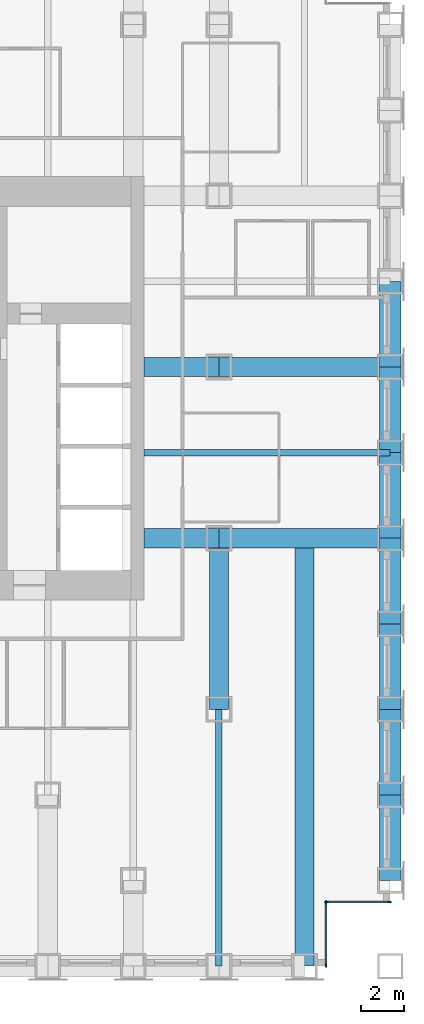
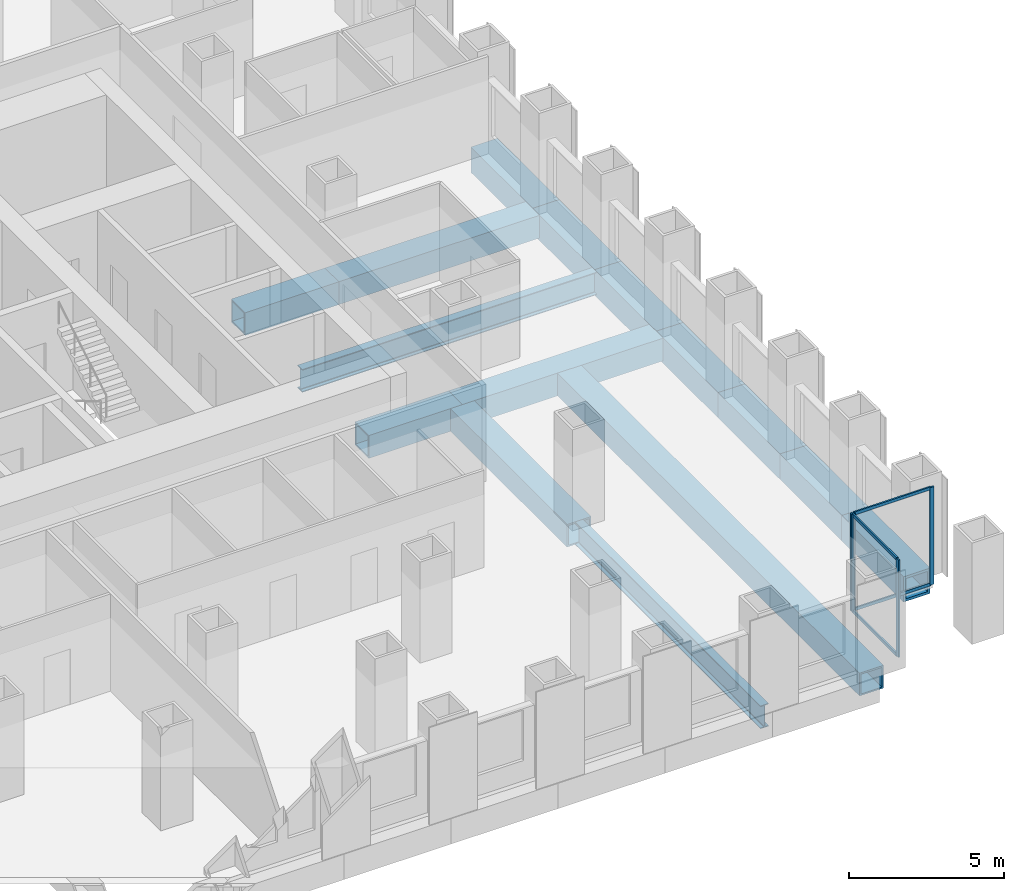
# One storey, part 4 of 14: 15 beams, 8 members, 2 elements without a shape of their own.
"""IFC4 building model written with IfcOpenShell, lengths in metres."""

from ifc_helpers import new_model, si_unit, direction, frame, origin, origin_2d, place, context, subcontext, project, spatial, rectangle, hollow_rectangle, i_section, extrude, material, material_profile, profile_set, type_object, element, aggregate, save


model = new_model("IFC4")

# Units and contexts
model_context = context("Model", 3, precision=1e-05, world=origin(), true_north=direction((0.0, 1.0)))
body_context = subcontext(model_context, "Body", "Model", "MODEL_VIEW")
ifc_project = project(units=[si_unit("LENGTHUNIT", "METRE"), si_unit("AREAUNIT", "SQUARE_METRE"), si_unit("VOLUMEUNIT", "CUBIC_METRE"), si_unit("PLANEANGLEUNIT", "RADIAN"), si_unit("MASSUNIT", "GRAM", prefix="KILO")], contexts=[model_context])

# Site, building, storey
site_placement = place(None, origin())
site = spatial("IfcSite", under=ifc_project, at=site_placement, CompositionType="ELEMENT")
building_placement = place(site_placement, origin())
building = spatial("IfcBuilding", under=site, at=building_placement, Name="Rimbunsela Tower", CompositionType="ELEMENT")
storey_placement = place(building_placement, frame((0.0, 0.0, 51.0)))
storey = spatial("IfcBuildingStorey", under=building, at=storey_placement, Name="L12", CompositionType="ELEMENT", Elevation=51.0)

# Beams
ifc_material_1 = material(Name="Steel BJ 55 (fy 410 MPa)", Category="steel")
ifc_material_profile_1 = material_profile(ifc_material_1, hollow_rectangle(XDim=1.0, YDim=1.0, WallThickness=0.10009765625, at=origin_2d()), Name="BOX 1000x1000x100")
ifc_profile_set_1 = profile_set([ifc_material_profile_1], Name="Steel BJ 55 (fy 410 MPa)")
beam_type_1 = type_object("IfcBeamType", Name="Beam BOX 1000x1000x100", PredefinedType="BEAM", material=ifc_profile_set_1)
for number, where, z_axis, x_axis, name in (
    (1, (54.0, 4.0, -0.64990234375), (0.0, 1.0, 0.0), (-1.0, 0.0, 0.0), "Beam B3 L12"),
    (2, (54.0, 8.0, -0.64990234375), (0.0, 1.0, 0.0), (-1.0, 0.0, 0.0), "Beam B3 L12"),
    (3, (54.0, 12.0, -0.64990234375), (0.0, 1.0, 0.0), (-1.0, 0.0, 0.0), "Beam B3 L12"),
    (4, (54.0, 16.0, -0.64990234375), (0.0, 1.0, 0.0), (-1.0, 0.0, 0.0), "Beam B3 L12"),
    (5, (54.0, 20.0, -0.64990234375), (0.0, 1.0, 0.0), (-1.0, 0.0, 0.0), "Beam B3 L12"),
    (6, (54.0, 24.0, -0.64990234375), (0.0, 1.0, 0.0), (-1.0, 0.0, 0.0), "Beam B3 L12"),
    (7, (54.0, 28.0, -0.64990234375), (0.0, 1.0, 0.0), (-1.0, 0.0, 0.0), "Beam B3 L12"),
):
    element("IfcBeam", number, at=place(storey_placement, frame(where, z_axis=z_axis, x_axis=x_axis)), inside=storey, type_object=beam_type_1, Name=name, PredefinedType="BEAM", context=body_context, shape_type="SweptSolid", body=[
        extrude(hollow_rectangle(XDim=1.0, YDim=1.0, WallThickness=0.10009765625, at=origin_2d()), origin(), (0.0, 0.0, 1.0), 4.0),
    ])
ifc_material_2 = material(Name="Steel BJ 55 (fy 410 MPa)", Category="steel")
ifc_material_profile_2 = material_profile(ifc_material_2, hollow_rectangle(XDim=0.89990234375, YDim=0.89990234375, WallThickness=0.06005859375, at=origin_2d()), Name="BOX 900x900x60")
ifc_profile_set_2 = profile_set([ifc_material_profile_2], Name="Steel BJ 55 (fy 410 MPa)")
beam_type_2 = type_object("IfcBeamType", Name="Beam BOX 900x900x60", PredefinedType="BEAM", material=ifc_profile_set_2)
for number, where, z_axis, x_axis, name in (
    (8, (42.5, 20.0, -0.60009765625), (1.0, 0.0, 0.0), (0.0, 1.0, 0.0), "Beam B1 L12"),
    (9, (42.5, 28.0, -0.60009765625), (1.0, 0.0, 0.0), (0.0, 1.0, 0.0), "Beam B1 L12"),
):
    element("IfcBeam", number, at=place(storey_placement, frame(where, z_axis=z_axis, x_axis=x_axis)), inside=storey, type_object=beam_type_2, Name=name, PredefinedType="BEAM", context=body_context, shape_type="SweptSolid", body=[
        extrude(hollow_rectangle(XDim=0.89990234375, YDim=0.89990234375, WallThickness=0.06005859375, at=origin_2d()), origin(), (0.0, 0.0, 1.0), 3.5),
    ])
for number, where, z_axis, x_axis, name in (
    (10, (46.0, 12.0, -0.60009765625), (0.0, 1.0, 0.0), (-1.0, 0.0, 0.0), "Beam B1 L12"),
    (11, (46.0, 20.0, -0.60009765625), (1.0, 0.0, 0.0), (0.0, 1.0, 0.0), "Beam B1 L12"),
    (12, (46.0, 28.0, -0.60009765625), (1.0, 0.0, 0.0), (0.0, 1.0, 0.0), "Beam B1 L12"),
):
    element("IfcBeam", number, at=place(storey_placement, frame(where, z_axis=z_axis, x_axis=x_axis)), inside=storey, type_object=beam_type_2, Name=name, PredefinedType="BEAM", context=body_context, shape_type="SweptSolid", body=[
        extrude(hollow_rectangle(XDim=0.89990234375, YDim=0.89990234375, WallThickness=0.06005859375, at=origin_2d()), origin(), (0.0, 0.0, 1.0), 8.0),
    ])
beam_1_placement = place(storey_placement, frame((50.0, 0.0, -0.60009765625), z_axis=(0.0, 1.0, 0.0), x_axis=(-1.0, 0.0, 0.0)))
element("IfcBeam", 13, at=beam_1_placement, inside=storey, type_object=beam_type_2, Name="Beam B1 L12", PredefinedType="BEAM", context=body_context, shape_type="SweptSolid", body=[
    extrude(hollow_rectangle(XDim=0.89990234375, YDim=0.89990234375, WallThickness=0.06005859375, at=origin_2d()), origin(), (0.0, 0.0, 1.0), 19.550048828125),
])
ifc_material_3 = material(Name="Steel BJ 55 (fy 410 MPa)", Category="steel")
ifc_material_profile_3 = material_profile(ifc_material_3, i_section(OverallWidth=0.300048828125, OverallDepth=0.89990234375, WebThickness=0.01611328125, FlangeThickness=0.028076171875, FilletRadius=0.028076171875, at=origin_2d()), Name="H 900x300x16x28")
ifc_profile_set_3 = profile_set([ifc_material_profile_3], Name="Steel BJ 55 (fy 410 MPa)")
beam_type_3 = type_object("IfcBeamType", Name="Beam H 900x300x16x28", PredefinedType="BEAM", material=ifc_profile_set_3)
beam_2_placement = place(storey_placement, frame((42.5, 24.0, -0.60009765625), z_axis=(1.0, 0.0, 0.0), x_axis=(0.0, 1.0, 0.0)))
element("IfcBeam", 14, at=beam_2_placement, inside=storey, type_object=beam_type_3, Name="Beam B2 L12", PredefinedType="BEAM", context=body_context, shape_type="SweptSolid", body=[
    extrude(i_section(OverallWidth=0.300048828125, OverallDepth=0.89990234375, WebThickness=0.01611328125, FlangeThickness=0.028076171875, FilletRadius=0.028076171875, at=origin_2d()), origin(), (0.0, 0.0, 1.0), 11.5),
])
beam_3_placement = place(storey_placement, frame((46.0, 0.0, -0.60009765625), z_axis=(0.0, 1.0, 0.0), x_axis=(-1.0, 0.0, 0.0)))
element("IfcBeam", 15, at=beam_3_placement, inside=storey, type_object=beam_type_3, Name="Beam B2 L12", PredefinedType="BEAM", context=body_context, shape_type="SweptSolid", body=[
    extrude(i_section(OverallWidth=0.300048828125, OverallDepth=0.89990234375, WebThickness=0.01611328125, FlangeThickness=0.028076171875, FilletRadius=0.028076171875, at=origin_2d()), origin(), (0.0, 0.0, 1.0), 12.0),
])

# Curtain wall, members
ifc_material_4 = material(Name="Aluminium curtain wall", Category="aluminium")
curtain_wall_type = type_object("IfcCurtainWallType", Name="Corner glazing", PredefinedType="USERDEFINED", material=ifc_material_4)
curtain_wall_1_placement = place(storey_placement, origin())
curtain_wall_1 = element("IfcCurtainWall", 16, at=curtain_wall_1_placement, inside=storey, type_object=curtain_wall_type, Name="Corner glazing L12", ObjectType="CORNER GLAZING", PredefinedType="USERDEFINED")
ifc_material_5 = material(Name="Aluminium mullion", Category="aluminium")
ifc_material_profile_4 = material_profile(ifc_material_5, rectangle(XDim=0.06005859375, YDim=0.159912109375, at=origin_2d()), Name="Mullion 60x160")
ifc_profile_set_4 = profile_set([ifc_material_profile_4], Name="Aluminium mullion")
member_type_1 = type_object("IfcMemberType", Name="Curtain wall mullion 60x160", PredefinedType="MULLION", material=ifc_profile_set_4)
member_1_placement = place(storey_placement, frame((51.0, 0.030029296875, 0.0), z_axis=(0.0, 0.0, 1.0), x_axis=(-1.0, 0.0, 0.0)))
member_1 = element("IfcMember", 17, at=member_1_placement, type_object=member_type_1, Name="CW5 mullion 1", PredefinedType="MULLION", context=body_context, shape_type="SweptSolid", body=[
    extrude(rectangle(XDim=0.06005859375, YDim=0.159912109375, at=origin_2d()), origin(), (0.0, 0.0, 1.0), 3.85009765625),
])
member_2_placement = place(storey_placement, frame((51.0, 2.969970703125, 0.0), z_axis=(0.0, 0.0, 1.0), x_axis=(-1.0, 0.0, 0.0)))
member_2 = element("IfcMember", 18, at=member_2_placement, type_object=member_type_1, Name="CW5 mullion 2", PredefinedType="MULLION", context=body_context, shape_type="SweptSolid", body=[
    extrude(rectangle(XDim=0.06005859375, YDim=0.159912109375, at=origin_2d()), origin(), (0.0, 0.0, 1.0), 3.85009765625),
])

curtain_wall_2_placement = place(storey_placement, origin())
curtain_wall_2 = element("IfcCurtainWall", 19, at=curtain_wall_2_placement, inside=storey, type_object=curtain_wall_type, Name="Corner glazing L12", ObjectType="CORNER GLAZING", PredefinedType="USERDEFINED")
member_3_placement = place(storey_placement, frame((51.030029296875, 3.0, 0.0), z_axis=(0.0, 0.0, 1.0), x_axis=(0.0, 1.0, 0.0)))
member_3 = element("IfcMember", 20, at=member_3_placement, type_object=member_type_1, Name="CW5 mullion 1", PredefinedType="MULLION", context=body_context, shape_type="SweptSolid", body=[
    extrude(rectangle(XDim=0.06005859375, YDim=0.159912109375, at=origin_2d()), origin(), (0.0, 0.0, 1.0), 3.85009765625),
])
member_4_placement = place(storey_placement, frame((53.969970703125, 3.0, 0.0), z_axis=(0.0, 0.0, 1.0), x_axis=(0.0, 1.0, 0.0)))
member_4 = element("IfcMember", 21, at=member_4_placement, type_object=member_type_1, Name="CW5 mullion 2", PredefinedType="MULLION", context=body_context, shape_type="SweptSolid", body=[
    extrude(rectangle(XDim=0.06005859375, YDim=0.159912109375, at=origin_2d()), origin(), (0.0, 0.0, 1.0), 3.85009765625),
])

# Member
ifc_material_6 = material(Name="Aluminium transom", Category="aluminium")
ifc_material_profile_5 = material_profile(ifc_material_6, rectangle(XDim=0.06005859375, YDim=0.1201171875, at=origin_2d()), Name="Transom 60x120")
ifc_profile_set_5 = profile_set([ifc_material_profile_5], Name="Aluminium transom")
member_type_2 = type_object("IfcMemberType", Name="Curtain wall transom 60x120", PredefinedType="USERDEFINED", material=ifc_profile_set_5)
member_5_placement = place(storey_placement, frame((51.0, 0.06005859375, 0.030029296875), z_axis=(0.0, 1.0, 0.0), x_axis=(-1.0, 0.0, 0.0)))
member_5 = element("IfcMember", 22, at=member_5_placement, type_object=member_type_2, Name="CW5 transom 1.1", ObjectType="TRANSOM", PredefinedType="USERDEFINED", context=body_context, shape_type="SweptSolid", body=[
    extrude(rectangle(XDim=0.06005859375, YDim=0.1201171875, at=origin_2d()), origin(), (0.0, 0.0, 1.0), 2.8798828125),
])

member_6_placement = place(storey_placement, frame((51.0, 0.06005859375, 3.820068359375), z_axis=(0.0, 1.0, 0.0), x_axis=(-1.0, 0.0, 0.0)))
member_6 = element("IfcMember", 23, at=member_6_placement, type_object=member_type_2, Name="CW5 transom 1.2", ObjectType="TRANSOM", PredefinedType="USERDEFINED", context=body_context, shape_type="SweptSolid", body=[
    extrude(rectangle(XDim=0.06005859375, YDim=0.1201171875, at=origin_2d()), origin(), (0.0, 0.0, 1.0), 2.8798828125),
])

aggregate(curtain_wall_1, [member_1, member_2, member_5, member_6])

member_7_placement = place(storey_placement, frame((51.06005859375, 3.0, 0.030029296875), z_axis=(1.0, 0.0, 0.0), x_axis=(0.0, 1.0, 0.0)))
member_7 = element("IfcMember", 24, at=member_7_placement, type_object=member_type_2, Name="CW5 transom 1.1", ObjectType="TRANSOM", PredefinedType="USERDEFINED", context=body_context, shape_type="SweptSolid", body=[
    extrude(rectangle(XDim=0.06005859375, YDim=0.1201171875, at=origin_2d()), origin(), (0.0, 0.0, 1.0), 2.8798828125),
])

member_8_placement = place(storey_placement, frame((51.06005859375, 3.0, 3.820068359375), z_axis=(1.0, 0.0, 0.0), x_axis=(0.0, 1.0, 0.0)))
member_8 = element("IfcMember", 25, at=member_8_placement, type_object=member_type_2, Name="CW5 transom 1.2", ObjectType="TRANSOM", PredefinedType="USERDEFINED", context=body_context, shape_type="SweptSolid", body=[
    extrude(rectangle(XDim=0.06005859375, YDim=0.1201171875, at=origin_2d()), origin(), (0.0, 0.0, 1.0), 2.8798828125),
])

aggregate(curtain_wall_2, [member_3, member_4, member_7, member_8])

save(model, "model.ifc")
